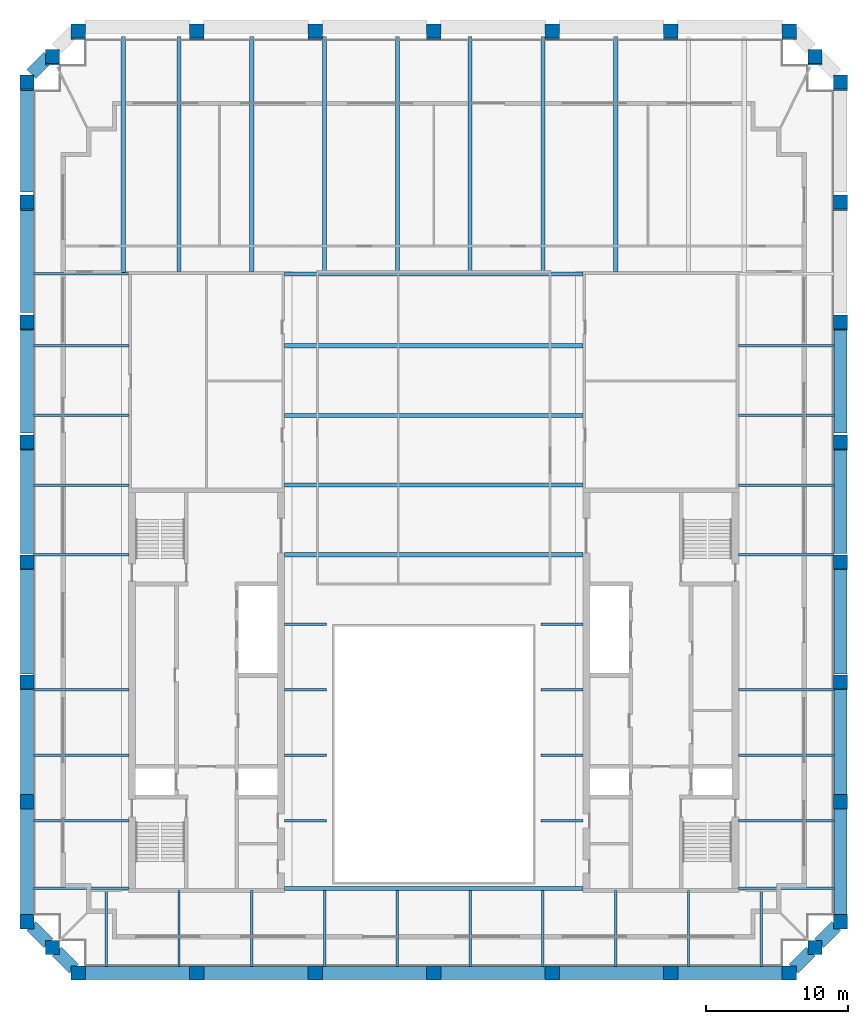
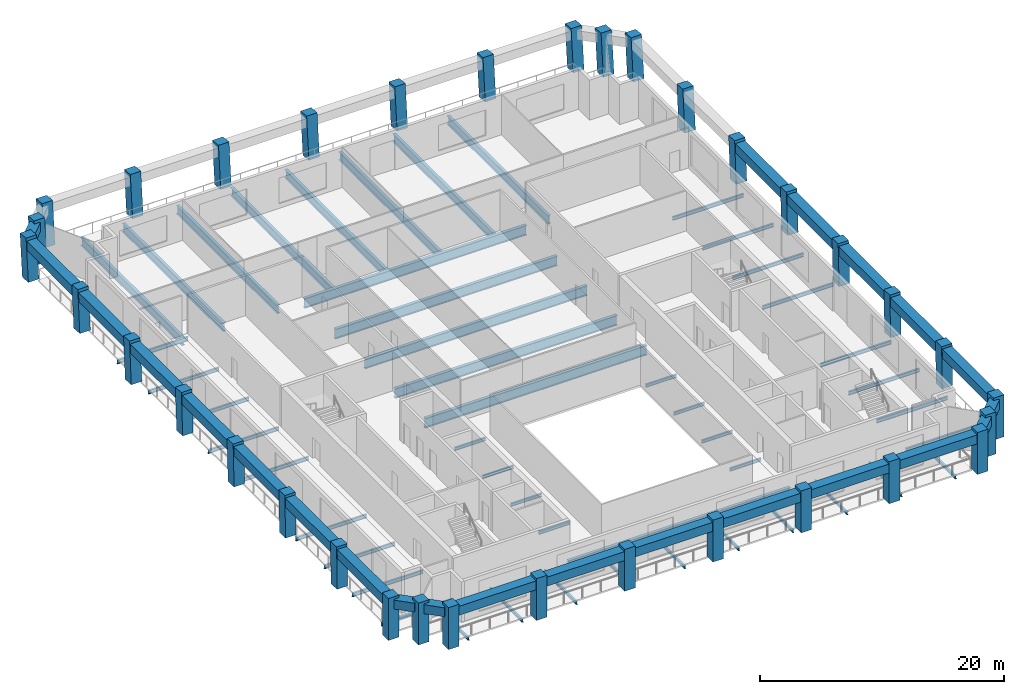
# One storey, part 1 of 7: 72 beams, 34 columns.
"""IFC4 building model written with IfcOpenShell, lengths in metres."""

from ifc_helpers import new_model, si_unit, direction, frame, origin, origin_2d, place, context, subcontext, project, spatial, rectangle, i_section, extrude, material, material_profile, profile_set, type_object, element, save


model = new_model("IFC4")

# Units and contexts
model_context = context("Model", 3, precision=1e-05, world=origin(), true_north=direction((0.0, 1.0)))
body_context = subcontext(model_context, "Body", "Model", "MODEL_VIEW")
ifc_project = project(units=[si_unit("LENGTHUNIT", "METRE"), si_unit("AREAUNIT", "SQUARE_METRE"), si_unit("VOLUMEUNIT", "CUBIC_METRE"), si_unit("PLANEANGLEUNIT", "RADIAN"), si_unit("MASSUNIT", "GRAM", prefix="KILO")], contexts=[model_context])

# Site, building, storey
site_placement = place(None, origin())
site = spatial("IfcSite", under=ifc_project, at=site_placement, CompositionType="ELEMENT")
building_placement = place(site_placement, origin())
building = spatial("IfcBuilding", under=site, at=building_placement, Name="Ogive Exchange Tower", CompositionType="ELEMENT")
storey_placement = place(building_placement, frame((0.0, 0.0, 330.0)))
storey = spatial("IfcBuildingStorey", under=building, at=storey_placement, Name="L72", CompositionType="ELEMENT", Elevation=330.0)

# Columns
ifc_material_1 = material(Name="Precast concrete C70/85 (limestone faced)", Category="masonry")
ifc_material_profile_1 = material_profile(ifc_material_1, rectangle(XDim=1.0, YDim=1.0, at=origin_2d()), Name="1000 x 1000")
ifc_profile_set_1 = profile_set([ifc_material_profile_1], Name="Precast concrete C70/85 (limestone faced)")
column_type = type_object("IfcColumnType", Name="Precast exoskeleton leg 1000 x 1000 C70/85", PredefinedType="COLUMN", material=ifc_profile_set_1)
for number, where, z_axis, x_axis, name in (
    (1, (-25.050048828125, -8.39990234375, 0.0), (0.0, 0.0, 1.0), (1.0, 0.0, 0.0), "Exoskeleton leg 1"),
    (2, (-16.699951171875, -8.39990234375, 0.0), (0.0, 0.0, 1.0), (1.0, 0.0, 0.0), "Exoskeleton leg 2"),
    (3, (-8.35009765625, -8.39990234375, 0.0), (0.0, 0.0, 1.0), (1.0, 0.0, 0.0), "Exoskeleton leg 3"),
    (4, (0.0, -8.39990234375, 0.0), (0.0, 0.0, 1.0), (1.0, 0.0, 0.0), "Exoskeleton leg 4"),
    (5, (8.35009765625, -8.39990234375, 0.0), (0.0, 0.0, 1.0), (1.0, 0.0, 0.0), "Exoskeleton leg 5"),
    (6, (16.699951171875, -8.39990234375, 0.0), (0.0, 0.0, 1.0), (1.0, 0.0, 0.0), "Exoskeleton leg 6"),
    (7, (25.050048828125, -8.39990234375, 0.0), (0.0, 0.0, 1.0), (1.0, 0.0, 0.0), "Exoskeleton leg 7"),
    (8, (28.64990234375, -4.800048828125, 0.0), (0.0, 0.0, 1.0), (1.0, 0.0, 0.0), "Exoskeleton leg 8"),
):
    element("IfcColumn", number, at=place(storey_placement, frame(where, z_axis=z_axis, x_axis=x_axis)), inside=storey, type_object=column_type, Name=name, PredefinedType="COLUMN", context=body_context, shape_type="SweptSolid", body=[
        extrude(rectangle(XDim=1.0, YDim=1.0, at=origin_2d()), origin(), (0.0, 0.0, 1.0), 4.199951171875),
    ])
column_1_placement = place(storey_placement, frame((28.64990234375, 3.636474609375, 0.0), z_axis=(0.0, 0.012961766342, 0.999915992778), x_axis=(-1.0, 0.0, 0.0)))
element("IfcColumn", 9, at=column_1_placement, inside=storey, type_object=column_type, Name="Exoskeleton leg 9", PredefinedType="COLUMN", context=body_context, shape_type="SweptSolid", body=[
    extrude(rectangle(XDim=1.0, YDim=1.0, at=origin_2d()), origin(), (0.0, 0.0, 1.0), 4.2001953125),
])
column_2_placement = place(storey_placement, frame((28.64990234375, 12.07275390625, 0.0), z_axis=(0.0, 0.025975072843, 0.999662590873), x_axis=(-1.0, 0.0, 0.0)))
element("IfcColumn", 10, at=column_2_placement, inside=storey, type_object=column_type, Name="Exoskeleton leg 10", PredefinedType="COLUMN", context=body_context, shape_type="SweptSolid", body=[
    extrude(rectangle(XDim=1.0, YDim=1.0, at=origin_2d()), origin(), (0.0, 0.0, 1.0), 4.201416015625),
])
column_3_placement = place(storey_placement, frame((28.64990234375, 20.509033203125, 0.0), z_axis=(0.0, 0.038917190853, 0.999242439179), x_axis=(-1.0, 0.0, 0.0)))
element("IfcColumn", 11, at=column_3_placement, inside=storey, type_object=column_type, Name="Exoskeleton leg 11", PredefinedType="COLUMN", context=body_context, shape_type="SweptSolid", body=[
    extrude(rectangle(XDim=1.0, YDim=1.0, at=origin_2d()), origin(), (0.0, 0.0, 1.0), 4.203125),
])
column_4_placement = place(storey_placement, frame((28.64990234375, 28.945556640625, 0.0), z_axis=(0.0, 0.051839753909, 0.998655416004), x_axis=(-1.0, 0.0, 0.0)))
element("IfcColumn", 12, at=column_4_placement, inside=storey, type_object=column_type, Name="Exoskeleton leg 12", PredefinedType="COLUMN", context=body_context, shape_type="SweptSolid", body=[
    extrude(rectangle(XDim=1.0, YDim=1.0, at=origin_2d()), origin(), (0.0, 0.0, 1.0), 4.20556640625),
])
column_5_placement = place(storey_placement, frame((28.64990234375, 37.3818359375, 0.0), z_axis=(0.0, 0.064794093908, 0.997898654872), x_axis=(-1.0, 0.0, 0.0)))
element("IfcColumn", 13, at=column_5_placement, inside=storey, type_object=column_type, Name="Exoskeleton leg 13", PredefinedType="COLUMN", context=body_context, shape_type="SweptSolid", body=[
    extrude(rectangle(XDim=1.0, YDim=1.0, at=origin_2d()), origin(), (0.0, 0.0, 1.0), 4.208740234375),
])
column_6_placement = place(storey_placement, frame((28.64990234375, 45.818115234375, 0.0), z_axis=(0.0, 0.07771576013, 0.996975556685), x_axis=(-1.0, 0.0, 0.0)))
element("IfcColumn", 14, at=column_6_placement, inside=storey, type_object=column_type, Name="Exoskeleton leg 14", PredefinedType="COLUMN", context=body_context, shape_type="SweptSolid", body=[
    extrude(rectangle(XDim=1.0, YDim=1.0, at=origin_2d()), origin(), (0.0, 0.0, 1.0), 4.212646484375),
])
for number, where, z_axis, x_axis, name in (
    (15, (28.64990234375, 54.25439453125, 0.0), (0.0, 0.090598381313, 0.995887510366), (-1.0, 0.0, 0.0), "Exoskeleton leg 15"),
    (16, (25.050048828125, 57.8544921875, 0.0), (0.0, 0.090540965689, 0.995892731941), (-1.0, 0.0, 0.0), "Exoskeleton leg 16"),
    (17, (16.699951171875, 57.8544921875, 0.0), (0.0, 0.090540965689, 0.995892731941), (-1.0, 0.0, 0.0), "Exoskeleton leg 17"),
    (18, (8.35009765625, 57.8544921875, 0.0), (0.0, 0.090540965689, 0.995892731941), (-1.0, 0.0, 0.0), "Exoskeleton leg 18"),
    (19, (0.0, 57.8544921875, 0.0), (0.0, 0.090540965689, 0.995892731941), (-1.0, 0.0, 0.0), "Exoskeleton leg 19"),
    (20, (-8.35009765625, 57.8544921875, 0.0), (0.0, 0.090540965689, 0.995892731941), (-1.0, 0.0, 0.0), "Exoskeleton leg 20"),
    (21, (-16.699951171875, 57.8544921875, 0.0), (0.0, 0.090540965689, 0.995892731941), (-1.0, 0.0, 0.0), "Exoskeleton leg 21"),
    (22, (-25.050048828125, 57.8544921875, 0.0), (0.0, 0.090540965689, 0.995892731941), (-1.0, 0.0, 0.0), "Exoskeleton leg 22"),
    (23, (-28.64990234375, 54.25439453125, 0.0), (0.0, 0.090598381313, 0.995887510366), (-1.0, 0.0, 0.0), "Exoskeleton leg 23"),
):
    element("IfcColumn", number, at=place(storey_placement, frame(where, z_axis=z_axis, x_axis=x_axis)), inside=storey, type_object=column_type, Name=name, PredefinedType="COLUMN", context=body_context, shape_type="SweptSolid", body=[
        extrude(rectangle(XDim=1.0, YDim=1.0, at=origin_2d()), origin(), (0.0, 0.0, 1.0), 4.21728515625),
    ])
column_7_placement = place(storey_placement, frame((-28.64990234375, 45.818115234375, 0.0), z_axis=(0.0, 0.07771576013, 0.996975556685), x_axis=(-1.0, 0.0, 0.0)))
element("IfcColumn", 24, at=column_7_placement, inside=storey, type_object=column_type, Name="Exoskeleton leg 24", PredefinedType="COLUMN", context=body_context, shape_type="SweptSolid", body=[
    extrude(rectangle(XDim=1.0, YDim=1.0, at=origin_2d()), origin(), (0.0, 0.0, 1.0), 4.212646484375),
])
column_8_placement = place(storey_placement, frame((-28.64990234375, 37.3818359375, 0.0), z_axis=(0.0, 0.064794093908, 0.997898654872), x_axis=(-1.0, 0.0, 0.0)))
element("IfcColumn", 25, at=column_8_placement, inside=storey, type_object=column_type, Name="Exoskeleton leg 25", PredefinedType="COLUMN", context=body_context, shape_type="SweptSolid", body=[
    extrude(rectangle(XDim=1.0, YDim=1.0, at=origin_2d()), origin(), (0.0, 0.0, 1.0), 4.208740234375),
])
column_9_placement = place(storey_placement, frame((-28.64990234375, 28.945556640625, 0.0), z_axis=(0.0, 0.051839753909, 0.998655416004), x_axis=(-1.0, 0.0, 0.0)))
element("IfcColumn", 26, at=column_9_placement, inside=storey, type_object=column_type, Name="Exoskeleton leg 26", PredefinedType="COLUMN", context=body_context, shape_type="SweptSolid", body=[
    extrude(rectangle(XDim=1.0, YDim=1.0, at=origin_2d()), origin(), (0.0, 0.0, 1.0), 4.20556640625),
])
column_10_placement = place(storey_placement, frame((-28.64990234375, 20.509033203125, 0.0), z_axis=(0.0, 0.038917190853, 0.999242439179), x_axis=(-1.0, 0.0, 0.0)))
element("IfcColumn", 27, at=column_10_placement, inside=storey, type_object=column_type, Name="Exoskeleton leg 27", PredefinedType="COLUMN", context=body_context, shape_type="SweptSolid", body=[
    extrude(rectangle(XDim=1.0, YDim=1.0, at=origin_2d()), origin(), (0.0, 0.0, 1.0), 4.203125),
])
column_11_placement = place(storey_placement, frame((-28.64990234375, 12.07275390625, 0.0), z_axis=(0.0, 0.025975072843, 0.999662590873), x_axis=(-1.0, 0.0, 0.0)))
element("IfcColumn", 28, at=column_11_placement, inside=storey, type_object=column_type, Name="Exoskeleton leg 28", PredefinedType="COLUMN", context=body_context, shape_type="SweptSolid", body=[
    extrude(rectangle(XDim=1.0, YDim=1.0, at=origin_2d()), origin(), (0.0, 0.0, 1.0), 4.201416015625),
])
column_12_placement = place(storey_placement, frame((-28.64990234375, 3.636474609375, 0.0), z_axis=(0.0, 0.012961766342, 0.999915992778), x_axis=(-1.0, 0.0, 0.0)))
element("IfcColumn", 29, at=column_12_placement, inside=storey, type_object=column_type, Name="Exoskeleton leg 29", PredefinedType="COLUMN", context=body_context, shape_type="SweptSolid", body=[
    extrude(rectangle(XDim=1.0, YDim=1.0, at=origin_2d()), origin(), (0.0, 0.0, 1.0), 4.2001953125),
])
for number, where, z_axis, x_axis, name in (
    (30, (-28.64990234375, -4.800048828125, 0.0), (0.0, 0.0, 1.0), (1.0, 0.0, 0.0), "Exoskeleton leg 30"),
    (31, (26.85009765625, -6.60009765625, 0.0), (0.0, 0.0, 1.0), (1.0, 0.0, 0.0), "Exoskeleton leg 31"),
):
    element("IfcColumn", number, at=place(storey_placement, frame(where, z_axis=z_axis, x_axis=x_axis)), inside=storey, type_object=column_type, Name=name, PredefinedType="COLUMN", context=body_context, shape_type="SweptSolid", body=[
        extrude(rectangle(XDim=1.0, YDim=1.0, at=origin_2d()), origin(), (0.0, 0.0, 1.0), 4.199951171875),
    ])
for number, where, z_axis, x_axis, name in (
    (32, (26.85009765625, 56.054443359375, 0.0), (0.0, 0.090540965689, 0.995892731941), (-1.0, 0.0, 0.0), "Exoskeleton leg 32"),
    (33, (-26.85009765625, 56.054443359375, 0.0), (0.0, 0.090540965689, 0.995892731941), (-1.0, 0.0, 0.0), "Exoskeleton leg 33"),
):
    element("IfcColumn", number, at=place(storey_placement, frame(where, z_axis=z_axis, x_axis=x_axis)), inside=storey, type_object=column_type, Name=name, PredefinedType="COLUMN", context=body_context, shape_type="SweptSolid", body=[
        extrude(rectangle(XDim=1.0, YDim=1.0, at=origin_2d()), origin(), (0.0, 0.0, 1.0), 4.21728515625),
    ])
column_13_placement = place(storey_placement, frame((-26.85009765625, -6.60009765625, 0.0), z_axis=(0.0, 0.0, 1.0), x_axis=(1.0, 0.0, 0.0)))
element("IfcColumn", 34, at=column_13_placement, inside=storey, type_object=column_type, Name="Exoskeleton leg 34", PredefinedType="COLUMN", context=body_context, shape_type="SweptSolid", body=[
    extrude(rectangle(XDim=1.0, YDim=1.0, at=origin_2d()), origin(), (0.0, 0.0, 1.0), 4.199951171875),
])

# Beams
ifc_material_2 = material(Name="Steel ASTM A992 Gr50", Category="steel")
ifc_material_profile_2 = material_profile(ifc_material_2, i_section(OverallWidth=0.300048828125, OverallDepth=0.97998046875, WebThickness=0.0166015625, FlangeThickness=0.026123046875, at=origin_2d()), Name="W1000x249")
ifc_profile_set_2 = profile_set([ifc_material_profile_2], Name="Steel ASTM A992 Gr50")
beam_type_1 = type_object("IfcBeamType", Name="Floor beam W1000x249", PredefinedType="JOIST", material=ifc_profile_set_2)
for number, where, z_axis, x_axis, name in (
    (35, (-10.52001953125, 21.06201171875, -0.68994140625), (1.0, 0.0, 0.0), (0.0, 1.0, 0.0), "Floor beam"),
    (36, (-10.52001953125, 25.968994140625, -0.68994140625), (1.0, 0.0, 0.0), (0.0, 1.0, 0.0), "Floor beam"),
    (37, (-10.52001953125, 30.8759765625, -0.68994140625), (1.0, 0.0, 0.0), (0.0, 1.0, 0.0), "Floor beam"),
    (38, (-10.52001953125, 35.782958984375, -0.68994140625), (1.0, 0.0, 0.0), (0.0, 1.0, 0.0), "Floor beam"),
):
    element("IfcBeam", number, at=place(storey_placement, frame(where, z_axis=z_axis, x_axis=x_axis)), inside=storey, type_object=beam_type_1, Name=name, PredefinedType="JOIST", context=body_context, shape_type="SweptSolid", body=[
        extrude(i_section(OverallWidth=0.300048828125, OverallDepth=0.97998046875, WebThickness=0.0166015625, FlangeThickness=0.026123046875, at=origin_2d()), origin(), (0.0, 0.0, 1.0), 21.0400390625),
    ])
ifc_material_profile_3 = material_profile(ifc_material_2, i_section(OverallWidth=0.1650390625, OverallDepth=0.31005859375, WebThickness=0.005859375, FlangeThickness=0.009765625, at=origin_2d()), Name="W310x38.7")
ifc_profile_set_3 = profile_set([ifc_material_profile_3], Name="Steel ASTM A992 Gr50")
beam_type_2 = type_object("IfcBeamType", Name="Floor beam W310x38.7", PredefinedType="JOIST", material=ifc_profile_set_3)
for number, where, z_axis, x_axis, name in (
    (39, (-10.52001953125, 2.3212890625, -0.35498046875), (1.0, 0.0, 0.0), (0.0, 1.0, 0.0), "Floor beam"),
    (40, (7.570068359375, 2.3212890625, -0.35498046875), (1.0, 0.0, 0.0), (0.0, 1.0, 0.0), "Floor beam"),
    (41, (-10.52001953125, 6.9326171875, -0.35498046875), (1.0, 0.0, 0.0), (0.0, 1.0, 0.0), "Floor beam"),
    (42, (7.570068359375, 6.9326171875, -0.35498046875), (1.0, 0.0, 0.0), (0.0, 1.0, 0.0), "Floor beam"),
    (43, (-10.52001953125, 11.543701171875, -0.35498046875), (1.0, 0.0, 0.0), (0.0, 1.0, 0.0), "Floor beam"),
    (44, (7.570068359375, 11.543701171875, -0.35498046875), (1.0, 0.0, 0.0), (0.0, 1.0, 0.0), "Floor beam"),
):
    element("IfcBeam", number, at=place(storey_placement, frame(where, z_axis=z_axis, x_axis=x_axis)), inside=storey, type_object=beam_type_2, Name=name, PredefinedType="JOIST", context=body_context, shape_type="SweptSolid", body=[
        extrude(i_section(OverallWidth=0.1650390625, OverallDepth=0.31005859375, WebThickness=0.005859375, FlangeThickness=0.009765625, at=origin_2d()), origin(), (0.0, 0.0, 1.0), 2.949951171875),
    ])
beam_1_placement = place(storey_placement, frame((-23.07275390625, -7.949951171875, -0.35498046875), z_axis=(0.0, 1.0, 0.0), x_axis=(-1.0, 0.0, 0.0)))
element("IfcBeam", 45, at=beam_1_placement, inside=storey, type_object=beam_type_2, Name="Floor beam", PredefinedType="JOIST", context=body_context, shape_type="SweptSolid", body=[
    extrude(i_section(OverallWidth=0.1650390625, OverallDepth=0.31005859375, WebThickness=0.005859375, FlangeThickness=0.009765625, at=origin_2d()), origin(), (0.0, 0.0, 1.0), 5.416015625),
])
for number, where, z_axis, x_axis, name in (
    (46, (-17.945556640625, -7.949951171875, -0.35498046875), (0.0, 1.0, 0.0), (-1.0, 0.0, 0.0), "Floor beam"),
    (47, (-12.818115234375, -7.949951171875, -0.35498046875), (0.0, 1.0, 0.0), (-1.0, 0.0, 0.0), "Floor beam"),
):
    element("IfcBeam", number, at=place(storey_placement, frame(where, z_axis=z_axis, x_axis=x_axis)), inside=storey, type_object=beam_type_2, Name=name, PredefinedType="JOIST", context=body_context, shape_type="SweptSolid", body=[
        extrude(i_section(OverallWidth=0.1650390625, OverallDepth=0.31005859375, WebThickness=0.005859375, FlangeThickness=0.009765625, at=origin_2d()), origin(), (0.0, 0.0, 1.0), 5.349853515625),
    ])
for number, where, z_axis, x_axis, name in (
    (48, (-7.69091796875, -7.949951171875, -0.35498046875), (0.0, 1.0, 0.0), (-1.0, 0.0, 0.0), "Floor beam"),
    (49, (-2.563720703125, -7.949951171875, -0.35498046875), (0.0, 1.0, 0.0), (-1.0, 0.0, 0.0), "Floor beam"),
    (50, (2.563720703125, -7.949951171875, -0.35498046875), (0.0, 1.0, 0.0), (-1.0, 0.0, 0.0), "Floor beam"),
    (51, (7.69091796875, -7.949951171875, -0.35498046875), (0.0, 1.0, 0.0), (-1.0, 0.0, 0.0), "Floor beam"),
):
    element("IfcBeam", number, at=place(storey_placement, frame(where, z_axis=z_axis, x_axis=x_axis)), inside=storey, type_object=beam_type_2, Name=name, PredefinedType="JOIST", context=body_context, shape_type="SweptSolid", body=[
        extrude(i_section(OverallWidth=0.1650390625, OverallDepth=0.31005859375, WebThickness=0.005859375, FlangeThickness=0.009765625, at=origin_2d()), origin(), (0.0, 0.0, 1.0), 5.35498046875),
    ])
for number, where, z_axis, x_axis, name in (
    (52, (12.818115234375, -7.949951171875, -0.35498046875), (0.0, 1.0, 0.0), (-1.0, 0.0, 0.0), "Floor beam"),
    (53, (17.945556640625, -7.949951171875, -0.35498046875), (0.0, 1.0, 0.0), (-1.0, 0.0, 0.0), "Floor beam"),
):
    element("IfcBeam", number, at=place(storey_placement, frame(where, z_axis=z_axis, x_axis=x_axis)), inside=storey, type_object=beam_type_2, Name=name, PredefinedType="JOIST", context=body_context, shape_type="SweptSolid", body=[
        extrude(i_section(OverallWidth=0.1650390625, OverallDepth=0.31005859375, WebThickness=0.005859375, FlangeThickness=0.009765625, at=origin_2d()), origin(), (0.0, 0.0, 1.0), 5.349853515625),
    ])
beam_2_placement = place(storey_placement, frame((23.07275390625, -7.949951171875, -0.35498046875), z_axis=(0.0, 1.0, 0.0), x_axis=(-1.0, 0.0, 0.0)))
element("IfcBeam", 54, at=beam_2_placement, inside=storey, type_object=beam_type_2, Name="Floor beam", PredefinedType="JOIST", context=body_context, shape_type="SweptSolid", body=[
    extrude(i_section(OverallWidth=0.1650390625, OverallDepth=0.31005859375, WebThickness=0.005859375, FlangeThickness=0.009765625, at=origin_2d()), origin(), (0.0, 0.0, 1.0), 5.416015625),
])
ifc_material_profile_4 = material_profile(ifc_material_2, i_section(OverallWidth=0.1708984375, OverallDepth=0.35595703125, WebThickness=0.00732421875, FlangeThickness=0.01171875, at=origin_2d()), Name="W360x51")
ifc_profile_set_4 = profile_set([ifc_material_profile_4], Name="Steel ASTM A992 Gr50")
beam_type_3 = type_object("IfcBeamType", Name="Floor beam W360x51", PredefinedType="JOIST", material=ifc_profile_set_4)
for number, where, z_axis, x_axis, name in (
    (55, (-28.199951171875, 2.3212890625, -0.3779296875), (1.0, 0.0, 0.0), (0.0, 1.0, 0.0), "Floor beam"),
    (56, (21.47998046875, 2.3212890625, -0.3779296875), (1.0, 0.0, 0.0), (0.0, 1.0, 0.0), "Floor beam"),
    (57, (-28.199951171875, 6.9326171875, -0.3779296875), (1.0, 0.0, 0.0), (0.0, 1.0, 0.0), "Floor beam"),
    (58, (21.47998046875, 6.9326171875, -0.3779296875), (1.0, 0.0, 0.0), (0.0, 1.0, 0.0), "Floor beam"),
    (59, (-28.199951171875, 11.543701171875, -0.3779296875), (1.0, 0.0, 0.0), (0.0, 1.0, 0.0), "Floor beam"),
    (60, (21.47998046875, 11.543701171875, -0.3779296875), (1.0, 0.0, 0.0), (0.0, 1.0, 0.0), "Floor beam"),
    (61, (-28.199951171875, 21.06201171875, -0.3779296875), (1.0, 0.0, 0.0), (0.0, 1.0, 0.0), "Floor beam"),
    (62, (21.47998046875, 21.06201171875, -0.3779296875), (1.0, 0.0, 0.0), (0.0, 1.0, 0.0), "Floor beam"),
    (63, (-28.199951171875, 25.968994140625, -0.3779296875), (1.0, 0.0, 0.0), (0.0, 1.0, 0.0), "Floor beam"),
    (64, (21.47998046875, 25.968994140625, -0.3779296875), (1.0, 0.0, 0.0), (0.0, 1.0, 0.0), "Floor beam"),
    (65, (-28.199951171875, 30.8759765625, -0.3779296875), (1.0, 0.0, 0.0), (0.0, 1.0, 0.0), "Floor beam"),
    (66, (21.47998046875, 30.8759765625, -0.3779296875), (1.0, 0.0, 0.0), (0.0, 1.0, 0.0), "Floor beam"),
    (67, (-28.199951171875, 35.782958984375, -0.3779296875), (1.0, 0.0, 0.0), (0.0, 1.0, 0.0), "Floor beam"),
    (68, (21.47998046875, 35.782958984375, -0.3779296875), (1.0, 0.0, 0.0), (0.0, 1.0, 0.0), "Floor beam"),
):
    element("IfcBeam", number, at=place(storey_placement, frame(where, z_axis=z_axis, x_axis=x_axis)), inside=storey, type_object=beam_type_3, Name=name, PredefinedType="JOIST", context=body_context, shape_type="SweptSolid", body=[
        extrude(i_section(OverallWidth=0.1708984375, OverallDepth=0.35595703125, WebThickness=0.00732421875, FlangeThickness=0.01171875, at=origin_2d()), origin(), (0.0, 0.0, 1.0), 6.719970703125),
    ])
ifc_material_profile_5 = material_profile(ifc_material_2, i_section(OverallWidth=0.2919921875, OverallDepth=0.8359375, WebThickness=0.013916015625, FlangeThickness=0.018798828125, at=origin_2d()), Name="W840x176")
ifc_profile_set_5 = profile_set([ifc_material_profile_5], Name="Steel ASTM A992 Gr50")
beam_type_4 = type_object("IfcBeamType", Name="Floor beam W840x176", PredefinedType="JOIST", material=ifc_profile_set_5)
beam_3_placement = place(storey_placement, frame((-21.872802734375, 40.93408203125, -0.617919921875), z_axis=(0.0, 1.0, 0.0), x_axis=(-1.0, 0.0, 0.0)))
element("IfcBeam", 69, at=beam_3_placement, inside=storey, type_object=beam_type_4, Name="Floor beam", PredefinedType="JOIST", context=body_context, shape_type="SweptSolid", body=[
    extrude(i_section(OverallWidth=0.2919921875, OverallDepth=0.8359375, WebThickness=0.013916015625, FlangeThickness=0.018798828125, at=origin_2d()), origin(), (0.0, 0.0, 1.0), 16.620361328125),
])
for number, where, z_axis, x_axis, name in (
    (70, (-17.945556640625, 41.0, -0.617919921875), (0.0, 1.0, 0.0), (-1.0, 0.0, 0.0), "Floor beam"),
    (71, (-12.818115234375, 41.0, -0.617919921875), (0.0, 1.0, 0.0), (-1.0, 0.0, 0.0), "Floor beam"),
):
    element("IfcBeam", number, at=place(storey_placement, frame(where, z_axis=z_axis, x_axis=x_axis)), inside=storey, type_object=beam_type_4, Name=name, PredefinedType="JOIST", context=body_context, shape_type="SweptSolid", body=[
        extrude(i_section(OverallWidth=0.2919921875, OverallDepth=0.8359375, WebThickness=0.013916015625, FlangeThickness=0.018798828125, at=origin_2d()), origin(), (0.0, 0.0, 1.0), 16.554443359375),
    ])
for number, where, z_axis, x_axis, name in (
    (72, (-7.69091796875, 40.9951171875, -0.617919921875), (0.0, 1.0, 0.0), (-1.0, 0.0, 0.0), "Floor beam"),
    (73, (-2.563720703125, 40.9951171875, -0.617919921875), (0.0, 1.0, 0.0), (-1.0, 0.0, 0.0), "Floor beam"),
    (74, (2.563720703125, 40.9951171875, -0.617919921875), (0.0, 1.0, 0.0), (-1.0, 0.0, 0.0), "Floor beam"),
    (75, (7.69091796875, 40.9951171875, -0.617919921875), (0.0, 1.0, 0.0), (-1.0, 0.0, 0.0), "Floor beam"),
):
    element("IfcBeam", number, at=place(storey_placement, frame(where, z_axis=z_axis, x_axis=x_axis)), inside=storey, type_object=beam_type_4, Name=name, PredefinedType="JOIST", context=body_context, shape_type="SweptSolid", body=[
        extrude(i_section(OverallWidth=0.2919921875, OverallDepth=0.8359375, WebThickness=0.013916015625, FlangeThickness=0.018798828125, at=origin_2d()), origin(), (0.0, 0.0, 1.0), 16.559326171875),
    ])
beam_4_placement = place(storey_placement, frame((12.818115234375, 41.0, -0.617919921875), z_axis=(0.0, 1.0, 0.0), x_axis=(-1.0, 0.0, 0.0)))
element("IfcBeam", 76, at=beam_4_placement, inside=storey, type_object=beam_type_4, Name="Floor beam", PredefinedType="JOIST", context=body_context, shape_type="SweptSolid", body=[
    extrude(i_section(OverallWidth=0.2919921875, OverallDepth=0.8359375, WebThickness=0.013916015625, FlangeThickness=0.018798828125, at=origin_2d()), origin(), (0.0, 0.0, 1.0), 16.554443359375),
])
ifc_material_profile_6 = material_profile(ifc_material_2, i_section(OverallWidth=0.300048828125, OverallDepth=0.97998046875, WebThickness=0.0166015625, FlangeThickness=0.026123046875, at=origin_2d()), Name="W1000x249")
ifc_profile_set_6 = profile_set([ifc_material_profile_6], Name="Steel ASTM A992 Gr50")
beam_type_5 = type_object("IfcBeamType", Name="Girder W1000x249", PredefinedType="BEAM", material=ifc_profile_set_6)
for number, where, z_axis, x_axis, name in (
    (77, (-10.52001953125, -2.445068359375, -0.68994140625), (1.0, 0.0, 0.0), (0.0, 1.0, 0.0), "Header girder"),
    (78, (-10.52001953125, 40.844970703125, -0.68994140625), (1.0, 0.0, 0.0), (0.0, 1.0, 0.0), "Header girder"),
):
    element("IfcBeam", number, at=place(storey_placement, frame(where, z_axis=z_axis, x_axis=x_axis)), inside=storey, type_object=beam_type_5, Name=name, PredefinedType="BEAM", context=body_context, shape_type="SweptSolid", body=[
        extrude(i_section(OverallWidth=0.300048828125, OverallDepth=0.97998046875, WebThickness=0.0166015625, FlangeThickness=0.026123046875, at=origin_2d()), origin(), (0.0, 0.0, 1.0), 21.0400390625),
    ])
ifc_material_profile_7 = material_profile(ifc_material_2, i_section(OverallWidth=0.1650390625, OverallDepth=0.31005859375, WebThickness=0.005859375, FlangeThickness=0.009765625, at=origin_2d()), Name="W310x38.7")
ifc_profile_set_7 = profile_set([ifc_material_profile_7], Name="Steel ASTM A992 Gr50")
beam_type_6 = type_object("IfcBeamType", Name="Girder W310x38.7", PredefinedType="BEAM", material=ifc_profile_set_7)
for number, where, z_axis, x_axis, name in (
    (79, (-10.52001953125, 16.155029296875, -0.35498046875), (1.0, 0.0, 0.0), (0.0, 1.0, 0.0), "Trimmer girder"),
    (80, (7.570068359375, 16.155029296875, -0.35498046875), (1.0, 0.0, 0.0), (0.0, 1.0, 0.0), "Trimmer girder"),
):
    element("IfcBeam", number, at=place(storey_placement, frame(where, z_axis=z_axis, x_axis=x_axis)), inside=storey, type_object=beam_type_6, Name=name, PredefinedType="BEAM", context=body_context, shape_type="SweptSolid", body=[
        extrude(i_section(OverallWidth=0.1650390625, OverallDepth=0.31005859375, WebThickness=0.005859375, FlangeThickness=0.009765625, at=origin_2d()), origin(), (0.0, 0.0, 1.0), 2.949951171875),
    ])
ifc_material_profile_8 = material_profile(ifc_material_2, i_section(OverallWidth=0.177978515625, OverallDepth=0.406005859375, WebThickness=0.0078125, FlangeThickness=0.0126953125, at=origin_2d()), Name="W410x60")
ifc_profile_set_8 = profile_set([ifc_material_profile_8], Name="Steel ASTM A992 Gr50")
beam_type_7 = type_object("IfcBeamType", Name="Girder W410x60", PredefinedType="BEAM", material=ifc_profile_set_8)
for number, where, z_axis, x_axis, name in (
    (81, (-28.199951171875, -2.445068359375, -0.403076171875), (1.0, 0.0, 0.0), (0.0, 1.0, 0.0), "Header girder"),
    (82, (21.47998046875, -2.445068359375, -0.403076171875), (1.0, 0.0, 0.0), (0.0, 1.0, 0.0), "Header girder"),
    (83, (-28.199951171875, 40.844970703125, -0.403076171875), (1.0, 0.0, 0.0), (0.0, 1.0, 0.0), "Header girder"),
):
    element("IfcBeam", number, at=place(storey_placement, frame(where, z_axis=z_axis, x_axis=x_axis)), inside=storey, type_object=beam_type_7, Name=name, PredefinedType="BEAM", context=body_context, shape_type="SweptSolid", body=[
        extrude(i_section(OverallWidth=0.177978515625, OverallDepth=0.406005859375, WebThickness=0.0078125, FlangeThickness=0.0126953125, at=origin_2d()), origin(), (0.0, 0.0, 1.0), 6.719970703125),
    ])
ifc_material_profile_9 = material_profile(ifc_material_1, rectangle(XDim=0.89990234375, YDim=0.89990234375, at=origin_2d()), Name="900 x 900")
ifc_profile_set_9 = profile_set([ifc_material_profile_9], Name="Precast concrete C70/85 (limestone faced)")
beam_type_8 = type_object("IfcBeamType", Name="Precast spandrel 900 x 900 C70/85", PredefinedType="SPANDREL", material=ifc_profile_set_9)
beam_5_placement = place(storey_placement, frame((-24.570068359375, -8.39990234375, 3.5), z_axis=(1.0, 0.0, 0.0), x_axis=(0.0, 1.0, 0.0)))
element("IfcBeam", 84, at=beam_5_placement, inside=storey, type_object=beam_type_8, Name="Spandrel 1", PredefinedType="SPANDREL", context=body_context, shape_type="SweptSolid", body=[
    extrude(rectangle(XDim=0.89990234375, YDim=0.89990234375, at=origin_2d()), origin(), (0.0, 0.0, 1.0), 7.39013671875),
])
beam_6_placement = place(storey_placement, frame((-16.219970703125, -8.39990234375, 3.5), z_axis=(1.0, 0.0, 0.0), x_axis=(0.0, 1.0, 0.0)))
element("IfcBeam", 85, at=beam_6_placement, inside=storey, type_object=beam_type_8, Name="Spandrel 2", PredefinedType="SPANDREL", context=body_context, shape_type="SweptSolid", body=[
    extrude(rectangle(XDim=0.89990234375, YDim=0.89990234375, at=origin_2d()), origin(), (0.0, 0.0, 1.0), 7.389892578125),
])
for number, where, z_axis, x_axis, name in (
    (86, (-7.8701171875, -8.39990234375, 3.5), (1.0, 0.0, 0.0), (0.0, 1.0, 0.0), "Spandrel 3"),
    (87, (0.47998046875, -8.39990234375, 3.5), (1.0, 0.0, 0.0), (0.0, 1.0, 0.0), "Spandrel 4"),
):
    element("IfcBeam", number, at=place(storey_placement, frame(where, z_axis=z_axis, x_axis=x_axis)), inside=storey, type_object=beam_type_8, Name=name, PredefinedType="SPANDREL", context=body_context, shape_type="SweptSolid", body=[
        extrude(rectangle(XDim=0.89990234375, YDim=0.89990234375, at=origin_2d()), origin(), (0.0, 0.0, 1.0), 7.39013671875),
    ])
beam_7_placement = place(storey_placement, frame((8.830078125, -8.39990234375, 3.5), z_axis=(1.0, 0.0, 0.0), x_axis=(0.0, 1.0, 0.0)))
element("IfcBeam", 88, at=beam_7_placement, inside=storey, type_object=beam_type_8, Name="Spandrel 5", PredefinedType="SPANDREL", context=body_context, shape_type="SweptSolid", body=[
    extrude(rectangle(XDim=0.89990234375, YDim=0.89990234375, at=origin_2d()), origin(), (0.0, 0.0, 1.0), 7.389892578125),
])
beam_8_placement = place(storey_placement, frame((17.179931640625, -8.39990234375, 3.5), z_axis=(1.0, 0.0, 0.0), x_axis=(0.0, 1.0, 0.0)))
element("IfcBeam", 89, at=beam_8_placement, inside=storey, type_object=beam_type_8, Name="Spandrel 6", PredefinedType="SPANDREL", context=body_context, shape_type="SweptSolid", body=[
    extrude(rectangle(XDim=0.89990234375, YDim=0.89990234375, at=origin_2d()), origin(), (0.0, 0.0, 1.0), 7.39013671875),
])
for number, where, z_axis, x_axis, name in (
    (90, (25.337890625, -8.112060546875, 3.5), (0.707106781187, 0.707106781187, 0.0), (-0.707106781187, 0.707106781187, 0.0), "Spandrel 7"),
    (91, (27.137939453125, -6.31201171875, 3.5), (0.707106781187, 0.707106781187, 0.0), (-0.707106781187, 0.707106781187, 0.0), "Spandrel 8"),
):
    element("IfcBeam", number, at=place(storey_placement, frame(where, z_axis=z_axis, x_axis=x_axis)), inside=storey, type_object=beam_type_8, Name=name, PredefinedType="SPANDREL", context=body_context, shape_type="SweptSolid", body=[
        extrude(rectangle(XDim=0.89990234375, YDim=0.89990234375, at=origin_2d()), origin(), (0.0, 0.0, 1.0), 1.731201171875),
    ])
for number, where, z_axis, x_axis, name in (
    (92, (28.64990234375, -4.320068359375, 3.5), (0.0, 1.0, 0.0), (-1.0, 0.0, 0.0), "Spandrel 9"),
    (93, (28.64990234375, 4.1708984375, 3.5), (0.0, 1.0, 0.0), (-1.0, 0.0, 0.0), "Spandrel 10"),
):
    element("IfcBeam", number, at=place(storey_placement, frame(where, z_axis=z_axis, x_axis=x_axis)), inside=storey, type_object=beam_type_8, Name=name, PredefinedType="SPANDREL", context=body_context, shape_type="SweptSolid", body=[
        extrude(rectangle(XDim=0.89990234375, YDim=0.89990234375, at=origin_2d()), origin(), (0.0, 0.0, 1.0), 7.531005859375),
    ])
beam_9_placement = place(storey_placement, frame((28.64990234375, 12.661865234375, 3.5), z_axis=(0.0, 1.0, 0.0), x_axis=(-1.0, 0.0, 0.0)))
element("IfcBeam", 94, at=beam_9_placement, inside=storey, type_object=beam_type_8, Name="Spandrel 11", PredefinedType="SPANDREL", context=body_context, shape_type="SweptSolid", body=[
    extrude(rectangle(XDim=0.89990234375, YDim=0.89990234375, at=origin_2d()), origin(), (0.0, 0.0, 1.0), 7.53076171875),
])
for number, where, z_axis, x_axis, name in (
    (95, (28.64990234375, 21.152587890625, 3.5), (0.0, 1.0, 0.0), (-1.0, 0.0, 0.0), "Spandrel 12"),
    (96, (28.64990234375, 29.6435546875, 3.5), (0.0, 1.0, 0.0), (-1.0, 0.0, 0.0), "Spandrel 13"),
):
    element("IfcBeam", number, at=place(storey_placement, frame(where, z_axis=z_axis, x_axis=x_axis)), inside=storey, type_object=beam_type_8, Name=name, PredefinedType="SPANDREL", context=body_context, shape_type="SweptSolid", body=[
        extrude(rectangle(XDim=0.89990234375, YDim=0.89990234375, at=origin_2d()), origin(), (0.0, 0.0, 1.0), 7.531005859375),
    ])
beam_10_placement = place(storey_placement, frame((-27.137939453125, 56.1484375, 3.5), z_axis=(-0.707106781187, -0.707106781187, 0.0), x_axis=(0.707106781187, -0.707106781187, 0.0)))
element("IfcBeam", 97, at=beam_10_placement, inside=storey, type_object=beam_type_8, Name="Spandrel 25", PredefinedType="SPANDREL", context=body_context, shape_type="SweptSolid", body=[
    extrude(rectangle(XDim=0.89990234375, YDim=0.89990234375, at=origin_2d()), origin(), (0.0, 0.0, 1.0), 1.731201171875),
])
for number, where, z_axis, x_axis, name in (
    (98, (-28.64990234375, 54.156494140625, 3.5), (0.0, -1.0, 0.0), (1.0, 0.0, 0.0), "Spandrel 26"),
    (99, (-28.64990234375, 45.66552734375, 3.5), (0.0, -1.0, 0.0), (1.0, 0.0, 0.0), "Spandrel 27"),
    (100, (-28.64990234375, 37.174560546875, 3.5), (0.0, -1.0, 0.0), (1.0, 0.0, 0.0), "Spandrel 28"),
    (101, (-28.64990234375, 28.68359375, 3.5), (0.0, -1.0, 0.0), (1.0, 0.0, 0.0), "Spandrel 29"),
):
    element("IfcBeam", number, at=place(storey_placement, frame(where, z_axis=z_axis, x_axis=x_axis)), inside=storey, type_object=beam_type_8, Name=name, PredefinedType="SPANDREL", context=body_context, shape_type="SweptSolid", body=[
        extrude(rectangle(XDim=0.89990234375, YDim=0.89990234375, at=origin_2d()), origin(), (0.0, 0.0, 1.0), 7.531005859375),
    ])
beam_11_placement = place(storey_placement, frame((-28.64990234375, 20.192626953125, 3.5), z_axis=(0.0, -1.0, 0.0), x_axis=(1.0, 0.0, 0.0)))
element("IfcBeam", 102, at=beam_11_placement, inside=storey, type_object=beam_type_8, Name="Spandrel 30", PredefinedType="SPANDREL", context=body_context, shape_type="SweptSolid", body=[
    extrude(rectangle(XDim=0.89990234375, YDim=0.89990234375, at=origin_2d()), origin(), (0.0, 0.0, 1.0), 7.53076171875),
])
for number, where, z_axis, x_axis, name in (
    (103, (-28.64990234375, 11.701904296875, 3.5), (0.0, -1.0, 0.0), (1.0, 0.0, 0.0), "Spandrel 31"),
    (104, (-28.64990234375, 3.2109375, 3.5), (0.0, -1.0, 0.0), (1.0, 0.0, 0.0), "Spandrel 32"),
):
    element("IfcBeam", number, at=place(storey_placement, frame(where, z_axis=z_axis, x_axis=x_axis)), inside=storey, type_object=beam_type_8, Name=name, PredefinedType="SPANDREL", context=body_context, shape_type="SweptSolid", body=[
        extrude(rectangle(XDim=0.89990234375, YDim=0.89990234375, at=origin_2d()), origin(), (0.0, 0.0, 1.0), 7.531005859375),
    ])
for number, where, z_axis, x_axis, name in (
    (105, (-28.362060546875, -5.087890625, 3.5), (0.707106781187, -0.707106781187, 0.0), (0.707106781187, 0.707106781187, 0.0), "Spandrel 33"),
    (106, (-26.56201171875, -6.887939453125, 3.5), (0.707106781187, -0.707106781187, 0.0), (0.707106781187, 0.707106781187, 0.0), "Spandrel 34"),
):
    element("IfcBeam", number, at=place(storey_placement, frame(where, z_axis=z_axis, x_axis=x_axis)), inside=storey, type_object=beam_type_8, Name=name, PredefinedType="SPANDREL", context=body_context, shape_type="SweptSolid", body=[
        extrude(rectangle(XDim=0.89990234375, YDim=0.89990234375, at=origin_2d()), origin(), (0.0, 0.0, 1.0), 1.731201171875),
    ])

save(model, "model.ifc")
